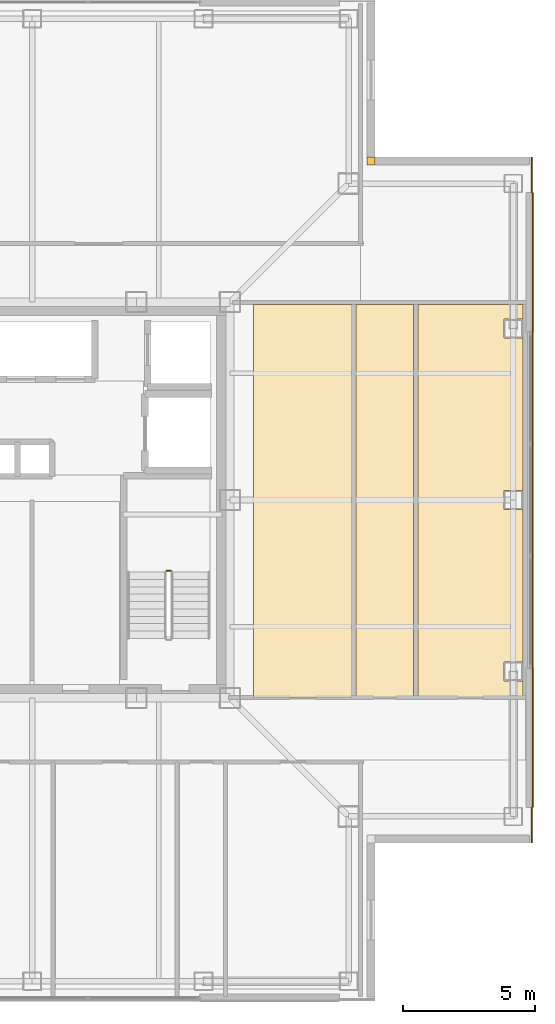
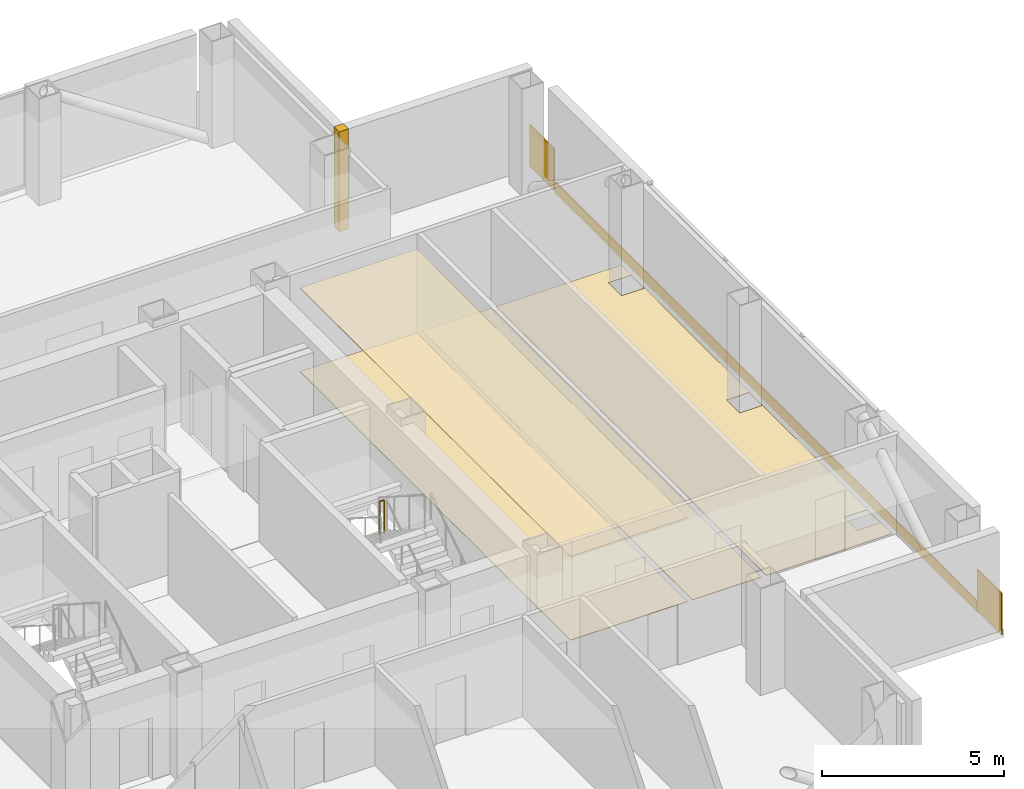
# One storey, part 15 of 16: 8 coverings, 1 railing.
"""IFC4 building model written with IfcOpenShell, lengths in metres."""

from ifc_helpers import new_model, si_unit, direction, frame, frame_2d, origin, origin_2d, place, context, subcontext, project, spatial, polyline, rectangle, circle, outline, extrude, material, layer, layer_set, type_object, element, save


model = new_model("IFC4")

# Units and contexts
model_context = context("Model", 3, precision=1e-05, world=origin(), true_north=direction((0.0, 1.0)))
body_context = subcontext(model_context, "Body", "Model", "MODEL_VIEW")
ifc_project = project(units=[si_unit("LENGTHUNIT", "METRE"), si_unit("AREAUNIT", "SQUARE_METRE"), si_unit("VOLUMEUNIT", "CUBIC_METRE"), si_unit("PLANEANGLEUNIT", "RADIAN"), si_unit("MASSUNIT", "GRAM", prefix="KILO")], contexts=[model_context])

# Site, building, storey
site_placement = place(None, origin())
site = spatial("IfcSite", under=ifc_project, at=site_placement, CompositionType="ELEMENT")
building_placement = place(site_placement, origin())
building = spatial("IfcBuilding", under=site, at=building_placement, Name="Trevonay Congress Spire", CompositionType="ELEMENT")
storey_placement = place(building_placement, frame((0.0, 0.0, 290.0)))
storey = spatial("IfcBuildingStorey", under=building, at=storey_placement, Name="L76", CompositionType="ELEMENT", Elevation=290.0)

# Coverings
ifc_material_1 = material(Name="Acoustic Mineral Fibre Board", Category="gypsum")
ifc_layer_1 = layer(ifc_material_1, 0.02490234375, Name="Acoustic Mineral Fibre Board")
ifc_layer_set_1 = layer_set([ifc_layer_1], Name="Acoustic Mineral Fibre Board")
covering_type_1 = type_object("IfcCoveringType", Name="COV-CEIL-ACOUSTIC", PredefinedType="CEILING", material=ifc_layer_set_1)
covering_1_placement = place(storey_placement, frame((0.0, 0.0, 2.81005859375)))
element("IfcCovering", 1, at=covering_1_placement, inside=storey, type_object=covering_type_1, Name="L76 Forum Catering Kitchen acoustic suspended ceiling", PredefinedType="CEILING", context=body_context, shape_type="SweptSolid", body=[
    extrude(outline(polyline([(8.39990234375, -7.47998046875), (12.1201171875, -7.47998046875), (12.1201171875, 7.419921875), (8.39990234375, 7.419921875), (8.39990234375, -7.47998046875)])), origin(), (0.0, 0.0, 1.0), 0.02490234375),
])
ifc_material_2 = material(Name="Polished Granite Floor Tile", Category="masonry")
ifc_layer_2 = layer(ifc_material_2, 0.02001953125, Name="Polished Granite Floor Tile")
ifc_layer_set_2 = layer_set([ifc_layer_2], Name="Polished Granite Floor Tile")
covering_type_2 = type_object("IfcCoveringType", Name="COV-FLOOR-STONE", PredefinedType="FLOORING", material=ifc_layer_set_2)
covering_2_placement = place(storey_placement, origin())
element("IfcCovering", 2, at=covering_2_placement, inside=storey, type_object=covering_type_2, Name="L76 Forum Catering Kitchen floor finish", PredefinedType="FLOORING", context=body_context, shape_type="SweptSolid", body=[
    extrude(outline(polyline([(8.39990234375, -7.47998046875), (12.1201171875, -7.47998046875), (12.1201171875, 7.419921875), (8.39990234375, 7.419921875), (8.39990234375, -7.47998046875)])), origin(), (0.0, 0.0, 1.0), 0.02001953125),
])
covering_3_placement = place(storey_placement, origin())
element("IfcCovering", 3, at=covering_3_placement, inside=storey, type_object=covering_type_2, Name="L76 Female Restroom WC floor finish", PredefinedType="FLOORING", context=body_context, shape_type="SweptSolid", body=[
    extrude(outline(polyline([(12.280029296875, -7.47998046875), (14.469970703125, -7.47998046875), (14.469970703125, 7.419921875), (12.280029296875, 7.419921875), (12.280029296875, -7.47998046875)])), origin(), (0.0, 0.0, 1.0), 0.02001953125),
])
covering_4_placement = place(storey_placement, origin())
element("IfcCovering", 4, at=covering_4_placement, inside=storey, type_object=covering_type_2, Name="L76 Floor Supplies and Copy Room floor finish", PredefinedType="FLOORING", context=body_context, shape_type="SweptSolid", body=[
    extrude(outline(polyline([(14.6298828125, 7.419921875), (18.6201171875, 7.419921875), (18.6201171875, -7.47998046875), (14.6298828125, -7.47998046875), (14.6298828125, 7.419921875)]), holes=[polyline([(17.889892578125, -6.860107421875), (18.610107421875, -6.860107421875), (18.610107421875, -6.139892578125), (17.889892578125, -6.139892578125), (17.889892578125, -6.860107421875)]), polyline([(17.889892578125, 0.360107421875), (17.889892578125, -0.360107421875), (18.610107421875, -0.360107421875), (18.610107421875, 0.360107421875), (17.889892578125, 0.360107421875)]), polyline([(17.889892578125, 6.860107421875), (17.889892578125, 6.139892578125), (18.610107421875, 6.139892578125), (18.610107421875, 6.860107421875), (17.889892578125, 6.860107421875)])]), origin(), (0.0, 0.0, 1.0), 0.02001953125),
])
ifc_material_3 = material(Name="Pale Anodised Aluminium EN AW-6063-T6", Category="aluminium")
ifc_layer_3 = layer(ifc_material_3, 0.0400390625, Name="Pale Anodised Aluminium EN AW-6063-T6")
ifc_layer_set_3 = layer_set([ifc_layer_3], Name="Pale Anodised Aluminium EN AW-6063-T6")
covering_type_3 = type_object("IfcCoveringType", Name="COV-SPANDREL-PALE-METAL", PredefinedType="CLADDING", material=ifc_layer_set_3)
covering_5_placement = place(storey_placement, frame((18.97998046875, -11.64990234375, -0.239990234375), z_axis=(0.0, 0.0, 1.0), x_axis=(0.0, 1.0, 0.0)))
element("IfcCovering", 5, at=covering_5_placement, inside=storey, type_object=covering_type_3, Name="L76 E pale-metal slab-edge spandrel cladding", PredefinedType="CLADDING", context=body_context, shape_type="SweptSolid", body=[
    extrude(rectangle(XDim=23.2998046875, YDim=0.0400390625, at=frame_2d((11.64990234375, 0.0))), origin(), (0.0, 0.0, 1.0), 0.360107421875),
])
covering_6_placement = place(storey_placement, frame((18.93994140625, -11.64990234375, -0.14990234375), z_axis=(0.0, 0.0, 1.0), x_axis=(0.0, -1.0, 0.0)))
element("IfcCovering", 6, at=covering_6_placement, inside=storey, type_object=covering_type_3, Name="L76 SE corner pier spandrel cladding 1", PredefinedType="CLADDING", context=body_context, shape_type="SweptSolid", body=[
    extrude(rectangle(XDim=1.35009765625, YDim=0.0400390625, at=frame_2d((0.675048828125, 0.0))), origin(), (0.0, 0.0, 1.0), 1.39990234375),
])
covering_7_placement = place(storey_placement, origin())
element("IfcCovering", 7, at=covering_7_placement, inside=storey, type_object=covering_type_3, Name="L76 NE re-entrant notch corner closure trim", PredefinedType="CLADDING", context=body_context, shape_type="SweptSolid", body=[
    extrude(outline(polyline([(12.699951171875, 12.699951171875), (13.0, 12.699951171875), (13.0, 13.0), (12.699951171875, 13.0), (12.699951171875, 12.699951171875)])), origin(), (0.0, 0.0, 1.0), 3.360107421875),
])
covering_8_placement = place(storey_placement, frame((18.93994140625, 11.64990234375, -0.14990234375), z_axis=(0.0, 0.0, 1.0), x_axis=(0.0, 1.0, 0.0)))
element("IfcCovering", 8, at=covering_8_placement, inside=storey, type_object=covering_type_3, Name="L76 NE corner pier spandrel cladding 1", PredefinedType="CLADDING", context=body_context, shape_type="SweptSolid", body=[
    extrude(rectangle(XDim=1.35009765625, YDim=0.0400390625, at=frame_2d((0.675048828125, 0.0))), origin(), (0.0, 0.0, 1.0), 1.39990234375),
])

# Railing
railing_type = type_object("IfcRailingType", Name="RAL-STAIR-GUARD-110", PredefinedType="GUARDRAIL", material=ifc_material_3)
railing_placement = place(storey_placement, frame((5.25, -2.679931640625, 1.800048828125)))
element("IfcRailing", 9, at=railing_placement, inside=storey, type_object=railing_type, Name="L76 ST-2 stair guard 2", PredefinedType="GUARDRAIL", context=body_context, shape_type="SweptSolid", body=[
    extrude(circle(Radius=0.02392578125, at=origin_2d()), frame((0.0, 0.0, 1.1259765625), z_axis=(-1.0, 0.0, 0.0), x_axis=(0.0, -1.0, 0.0)), (0.0, 0.0, 1.0), 0.14990234375),
    extrude(circle(Radius=0.02099609375, at=origin_2d()), origin(), (0.0, 0.0, 1.0), 1.101806640625),
    extrude(circle(Radius=0.02099609375, at=origin_2d()), frame((-0.14990234375, 0.0, 0.0)), (0.0, 0.0, 1.0), 1.101806640625),
])

save(model, "model.ifc")
